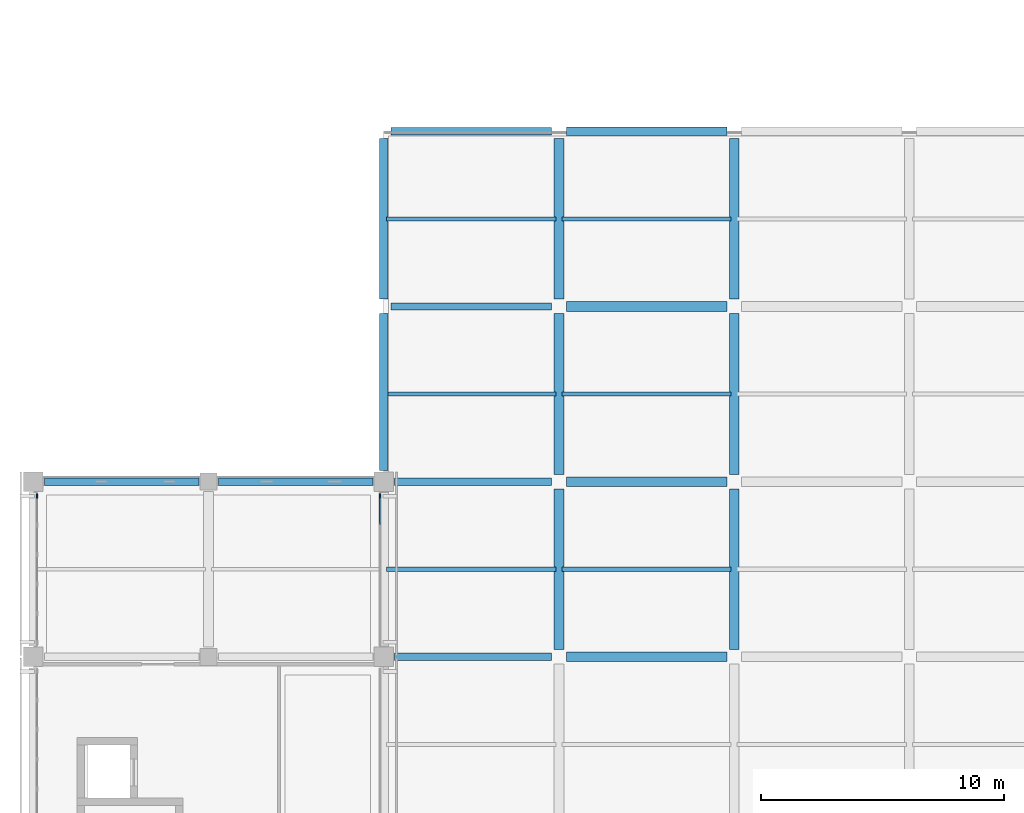
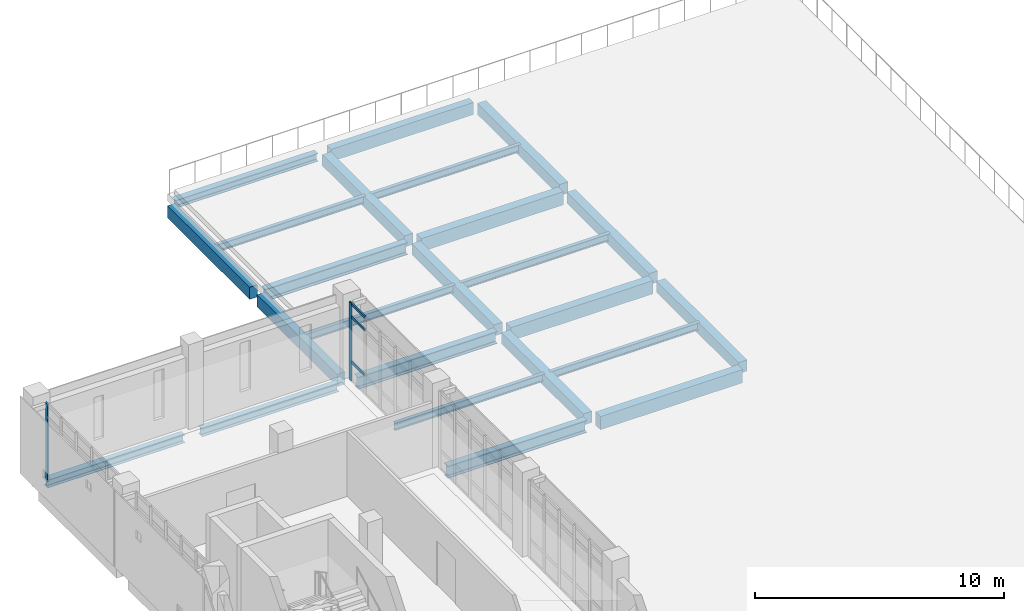
# One storey, part 22 of 51: 24 beams, 5 members, 2 elements without a shape of their own.
"""IFC4 building model written with IfcOpenShell, lengths in metres."""

from ifc_helpers import new_model, si_unit, direction, frame, origin, origin_2d, place, context, subcontext, project, spatial, rectangle, i_section, extrude, material, layer, layer_set, material_profile, profile_set, type_object, element, aggregate, save


model = new_model("IFC4")

# Units and contexts
model_context = context("Model", 3, precision=1e-05, world=origin(), true_north=direction((0.0, 1.0)))
body_context = subcontext(model_context, "Body", "Model", "MODEL_VIEW")
ifc_project = project(units=[si_unit("LENGTHUNIT", "METRE"), si_unit("AREAUNIT", "SQUARE_METRE"), si_unit("VOLUMEUNIT", "CUBIC_METRE"), si_unit("PLANEANGLEUNIT", "RADIAN"), si_unit("MASSUNIT", "GRAM", prefix="KILO")], contexts=[model_context])

# Site, building, storey
site_placement = place(None, origin())
site = spatial("IfcSite", under=ifc_project, at=site_placement, CompositionType="ELEMENT")
building_placement = place(site_placement, origin())
building = spatial("IfcBuilding", under=site, at=building_placement, Name="Valkovuoma Quantum and Materials Research Institute", CompositionType="ELEMENT")
storey_placement = place(building_placement, frame((0.0, 0.0, 17.280029296875)))
storey = spatial("IfcBuildingStorey", under=building, at=storey_placement, Name="L04", CompositionType="ELEMENT", Elevation=17.280029296875)

# Beams
ifc_material_1 = material(Name="Steel S355J2", Category="steel")
ifc_material_profile_1 = material_profile(ifc_material_1, i_section(OverallWidth=0.300048828125, OverallDepth=0.389892578125, WebThickness=0.010986328125, FlangeThickness=0.01904296875, FilletRadius=0.027099609375, at=origin_2d()), Name="Steel S355J2")
ifc_profile_set_1 = profile_set([ifc_material_profile_1], Name="Steel S355J2")
beam_type_1 = type_object("IfcBeamType", Name="Beam-B-HEA400", PredefinedType="SPANDREL", material=ifc_profile_set_1)
beam_1_placement = place(storey_placement, frame((0.449951171875, 93.60009765625, -0.544921875), z_axis=(1.0, 0.0, 0.0), x_axis=(0.0, 1.0, 0.0)))
element("IfcBeam", 1, at=beam_1_placement, inside=storey, type_object=beam_type_1, Name="L04 beam X-1883", PredefinedType="SPANDREL", context=body_context, shape_type="SweptSolid", body=[
    extrude(i_section(OverallWidth=0.300048828125, OverallDepth=0.389892578125, WebThickness=0.010986328125, FlangeThickness=0.01904296875, FilletRadius=0.027099609375, at=origin_2d()), origin(), (0.0, 0.0, 1.0), 6.35009765625),
])
beam_2_placement = place(storey_placement, frame((7.60009765625, 93.60009765625, -0.544921875), z_axis=(1.0, 0.0, 0.0), x_axis=(0.0, 1.0, 0.0)))
element("IfcBeam", 2, at=beam_2_placement, inside=storey, type_object=beam_type_1, Name="L04 beam X-1884", PredefinedType="SPANDREL", context=body_context, shape_type="SweptSolid", body=[
    extrude(i_section(OverallWidth=0.300048828125, OverallDepth=0.389892578125, WebThickness=0.010986328125, FlangeThickness=0.01904296875, FilletRadius=0.027099609375, at=origin_2d()), origin(), (0.0, 0.0, 1.0), 6.349853515625),
])
beam_3_placement = place(storey_placement, frame((14.699951171875, 108.0, -0.544921875), z_axis=(1.0, 0.0, 0.0), x_axis=(0.0, 1.0, 0.0)))
element("IfcBeam", 3, at=beam_3_placement, inside=storey, type_object=beam_type_1, Name="L04 beam X-1903", PredefinedType="SPANDREL", context=body_context, shape_type="SweptSolid", body=[
    extrude(i_section(OverallWidth=0.300048828125, OverallDepth=0.389892578125, WebThickness=0.010986328125, FlangeThickness=0.01904296875, FilletRadius=0.027099609375, at=origin_2d()), origin(), (0.0, 0.0, 1.0), 6.60009765625),
])
ifc_material_2 = material(Name="Steel S355J2", Category="steel")
ifc_material_profile_2 = material_profile(ifc_material_2, i_section(OverallWidth=0.300048828125, OverallDepth=0.60009765625, WebThickness=0.015380859375, FlangeThickness=0.030029296875, FilletRadius=0.027099609375, at=origin_2d()), Name="Steel S355J2")
ifc_profile_set_2 = profile_set([ifc_material_profile_2], Name="Steel S355J2")
beam_type_2 = type_object("IfcBeamType", Name="Beam-B-HEB600", PredefinedType="BEAM", material=ifc_profile_set_2)
for number, where, z_axis, x_axis, name in (
    (4, (14.85009765625, 86.39990234375, -0.650146484375), (1.0, 0.0, 0.0), (0.0, 1.0, 0.0), "L04 beam X-1874"),
    (5, (14.85009765625, 93.60009765625, -0.650146484375), (1.0, 0.0, 0.0), (0.0, 1.0, 0.0), "L04 beam X-1885"),
):
    element("IfcBeam", number, at=place(storey_placement, frame(where, z_axis=z_axis, x_axis=x_axis)), inside=storey, type_object=beam_type_2, Name=name, PredefinedType="BEAM", context=body_context, shape_type="SweptSolid", body=[
        extrude(i_section(OverallWidth=0.300048828125, OverallDepth=0.60009765625, WebThickness=0.015380859375, FlangeThickness=0.030029296875, FilletRadius=0.027099609375, at=origin_2d()), origin(), (0.0, 0.0, 1.0), 6.449951171875),
    ])
beam_4_placement = place(storey_placement, frame((14.699951171875, 100.800048828125, -0.650146484375), z_axis=(1.0, 0.0, 0.0), x_axis=(0.0, 1.0, 0.0)))
element("IfcBeam", 6, at=beam_4_placement, inside=storey, type_object=beam_type_2, Name="L04 beam X-1894", PredefinedType="BEAM", context=body_context, shape_type="SweptSolid", body=[
    extrude(i_section(OverallWidth=0.300048828125, OverallDepth=0.60009765625, WebThickness=0.015380859375, FlangeThickness=0.030029296875, FilletRadius=0.027099609375, at=origin_2d()), origin(), (0.0, 0.0, 1.0), 6.60009765625),
])
ifc_material_3 = material(Name="Steel S355J2", Category="steel")
ifc_material_profile_3 = material_profile(ifc_material_3, i_section(OverallWidth=0.169921875, OverallDepth=0.360107421875, WebThickness=0.008056640625, FlangeThickness=0.0126953125, FilletRadius=0.01806640625, at=origin_2d()), Name="Steel S355J2")
ifc_profile_set_3 = profile_set([ifc_material_profile_3], Name="Steel S355J2")
beam_type_3 = type_object("IfcBeamType", Name="Beam-B-JST360", PredefinedType="JOIST", material=ifc_profile_set_3)
for number, where, z_axis, x_axis, name in (
    (7, (14.52001953125, 90.0, -0.530029296875), (1.0, 0.0, 0.0), (0.0, 1.0, 0.0), "L04 floor joist 2076"),
    (8, (21.719970703125, 90.0, -0.530029296875), (1.0, 0.0, 0.0), (0.0, 1.0, 0.0), "L04 floor joist 2077"),
    (9, (14.52001953125, 97.199951171875, -0.530029296875), (1.0, 0.0, 0.0), (0.0, 1.0, 0.0), "L04 floor joist 2085"),
    (10, (21.719970703125, 97.199951171875, -0.530029296875), (1.0, 0.0, 0.0), (0.0, 1.0, 0.0), "L04 floor joist 2086"),
    (11, (14.52001953125, 104.39990234375, -0.530029296875), (1.0, 0.0, 0.0), (0.0, 1.0, 0.0), "L04 floor joist 2094"),
    (12, (21.719970703125, 104.39990234375, -0.530029296875), (1.0, 0.0, 0.0), (0.0, 1.0, 0.0), "L04 floor joist 2095"),
):
    element("IfcBeam", number, at=place(storey_placement, frame(where, z_axis=z_axis, x_axis=x_axis)), inside=storey, type_object=beam_type_3, Name=name, PredefinedType="JOIST", context=body_context, shape_type="SweptSolid", body=[
        extrude(i_section(OverallWidth=0.169921875, OverallDepth=0.360107421875, WebThickness=0.008056640625, FlangeThickness=0.0126953125, FilletRadius=0.01806640625, at=origin_2d()), origin(), (0.0, 0.0, 1.0), 6.9599609375),
    ])
ifc_material_4 = material(Name="Concrete C40/50", Category="concrete")
ifc_material_profile_4 = material_profile(ifc_material_4, rectangle(XDim=0.39990234375, YDim=0.550048828125, at=origin_2d()), Name="Concrete C40/50")
ifc_profile_set_4 = profile_set([ifc_material_profile_4], Name="Concrete C40/50")
beam_type_4 = type_object("IfcBeamType", Name="Beam-B-RC550", PredefinedType="BEAM", material=ifc_profile_set_4)
for number, where, z_axis, x_axis, name in (
    (13, (21.60009765625, 86.699951171875, -0.625), (0.0, 1.0, 0.0), (-1.0, 0.0, 0.0), "L04 beam Y-1935"),
    (14, (21.60009765625, 93.89990234375, -0.625), (0.0, 1.0, 0.0), (-1.0, 0.0, 0.0), "L04 beam Y-1936"),
):
    element("IfcBeam", number, at=place(storey_placement, frame(where, z_axis=z_axis, x_axis=x_axis)), inside=storey, type_object=beam_type_4, Name=name, PredefinedType="BEAM", context=body_context, shape_type="SweptSolid", body=[
        extrude(rectangle(XDim=0.39990234375, YDim=0.550048828125, at=origin_2d()), origin(), (0.0, 0.0, 1.0), 6.60009765625),
    ])
beam_5_placement = place(storey_placement, frame((21.60009765625, 101.10009765625, -0.625), z_axis=(0.0, 1.0, 0.0), x_axis=(-1.0, 0.0, 0.0)))
element("IfcBeam", 15, at=beam_5_placement, inside=storey, type_object=beam_type_4, Name="L04 beam Y-1937", PredefinedType="BEAM", context=body_context, shape_type="SweptSolid", body=[
    extrude(rectangle(XDim=0.39990234375, YDim=0.550048828125, at=origin_2d()), origin(), (0.0, 0.0, 1.0), 6.599853515625),
])
for number, where, z_axis, x_axis, name in (
    (16, (28.800048828125, 86.699951171875, -0.625), (0.0, 1.0, 0.0), (-1.0, 0.0, 0.0), "L04 beam Y-1941"),
    (17, (28.800048828125, 93.89990234375, -0.625), (0.0, 1.0, 0.0), (-1.0, 0.0, 0.0), "L04 beam Y-1942"),
):
    element("IfcBeam", number, at=place(storey_placement, frame(where, z_axis=z_axis, x_axis=x_axis)), inside=storey, type_object=beam_type_4, Name=name, PredefinedType="BEAM", context=body_context, shape_type="SweptSolid", body=[
        extrude(rectangle(XDim=0.39990234375, YDim=0.550048828125, at=origin_2d()), origin(), (0.0, 0.0, 1.0), 6.60009765625),
    ])
beam_6_placement = place(storey_placement, frame((28.800048828125, 101.10009765625, -0.625), z_axis=(0.0, 1.0, 0.0), x_axis=(-1.0, 0.0, 0.0)))
element("IfcBeam", 18, at=beam_6_placement, inside=storey, type_object=beam_type_4, Name="L04 beam Y-1943", PredefinedType="BEAM", context=body_context, shape_type="SweptSolid", body=[
    extrude(rectangle(XDim=0.39990234375, YDim=0.550048828125, at=origin_2d()), origin(), (0.0, 0.0, 1.0), 6.599853515625),
])
ifc_material_5 = material(Name="Concrete C40/50", Category="concrete")
ifc_material_profile_5 = material_profile(ifc_material_5, rectangle(XDim=0.39990234375, YDim=0.64990234375, at=origin_2d()), Name="Concrete C40/50")
ifc_profile_set_5 = profile_set([ifc_material_profile_5], Name="Concrete C40/50")
beam_type_5 = type_object("IfcBeamType", Name="Beam-B-RC650", PredefinedType="BEAM", material=ifc_profile_set_5)
for number, where, z_axis, x_axis, name in (
    (19, (21.89990234375, 86.39990234375, -0.675048828125), (1.0, 0.0, 0.0), (0.0, 1.0, 0.0), "L04 beam X-1875"),
    (20, (21.89990234375, 93.60009765625, -0.675048828125), (1.0, 0.0, 0.0), (0.0, 1.0, 0.0), "L04 beam X-1886"),
    (21, (21.89990234375, 100.800048828125, -0.675048828125), (1.0, 0.0, 0.0), (0.0, 1.0, 0.0), "L04 beam X-1895"),
):
    element("IfcBeam", number, at=place(storey_placement, frame(where, z_axis=z_axis, x_axis=x_axis)), inside=storey, type_object=beam_type_5, Name=name, PredefinedType="BEAM", context=body_context, shape_type="SweptSolid", body=[
        extrude(rectangle(XDim=0.39990234375, YDim=0.64990234375, at=origin_2d()), origin(), (0.0, 0.0, 1.0), 6.60009765625),
    ])
ifc_material_6 = material(Name="Concrete C40/50", Category="concrete")
ifc_material_profile_6 = material_profile(ifc_material_6, rectangle(XDim=0.35009765625, YDim=0.60009765625, at=origin_2d()), Name="Concrete C40/50")
ifc_profile_set_6 = profile_set([ifc_material_profile_6], Name="Concrete C40/50")
beam_type_6 = type_object("IfcBeamType", Name="Beam-B-SPN600", PredefinedType="SPANDREL", material=ifc_profile_set_6)
beam_7_placement = place(storey_placement, frame((21.89990234375, 108.0, -0.650146484375), z_axis=(1.0, 0.0, 0.0), x_axis=(0.0, 1.0, 0.0)))
element("IfcBeam", 22, at=beam_7_placement, inside=storey, type_object=beam_type_6, Name="L04 beam X-1904", PredefinedType="SPANDREL", context=body_context, shape_type="SweptSolid", body=[
    extrude(rectangle(XDim=0.35009765625, YDim=0.60009765625, at=origin_2d()), origin(), (0.0, 0.0, 1.0), 6.60009765625),
])
beam_8_placement = place(storey_placement, frame((14.39990234375, 94.050048828125, -0.650146484375), z_axis=(0.0, 1.0, 0.0), x_axis=(-1.0, 0.0, 0.0)))
element("IfcBeam", 23, at=beam_8_placement, inside=storey, type_object=beam_type_6, Name="L04 beam Y-1930", PredefinedType="SPANDREL", context=body_context, shape_type="SweptSolid", body=[
    extrude(rectangle(XDim=0.35009765625, YDim=0.60009765625, at=origin_2d()), origin(), (0.0, 0.0, 1.0), 6.449951171875),
])
beam_9_placement = place(storey_placement, frame((14.39990234375, 101.10009765625, -0.650146484375), z_axis=(0.0, 1.0, 0.0), x_axis=(-1.0, 0.0, 0.0)))
element("IfcBeam", 24, at=beam_9_placement, inside=storey, type_object=beam_type_6, Name="L04 beam Y-1931", PredefinedType="SPANDREL", context=body_context, shape_type="SweptSolid", body=[
    extrude(rectangle(XDim=0.35009765625, YDim=0.60009765625, at=origin_2d()), origin(), (0.0, 0.0, 1.0), 6.599853515625),
])

# Curtain wall, member
ifc_material_7 = material(Name="Thermally broken aluminium and triple low-E glazing", Category="aluminium")
ifc_layer = layer(ifc_material_7, 0.219970703125)
ifc_layer_set = layer_set([ifc_layer], Name="Thermally broken aluminium and triple low-E glazing")
curtain_wall_type = type_object("IfcCurtainWallType", Name="CW-CW-01", PredefinedType="NOTDEFINED", material=ifc_layer_set)
curtain_wall_1_placement = place(storey_placement, origin())
curtain_wall_1 = element("IfcCurtainWall", 25, at=curtain_wall_1_placement, inside=storey, type_object=curtain_wall_type, Name="L04 curtain wall 053", PredefinedType="NOTDEFINED")
ifc_material_8 = material(Name="Anodised aluminium 6060-T66", Category="aluminium")
ifc_material_profile_7 = material_profile(ifc_material_8, rectangle(XDim=0.06494140625, YDim=0.179931640625, at=origin_2d()), Name="Anodised aluminium 6060-T66")
ifc_profile_set_7 = profile_set([ifc_material_profile_7], Name="Anodised aluminium 6060-T66")
member_type_1 = type_object("IfcMemberType", Name="CWMull-CWM-01", PredefinedType="MULLION", material=ifc_profile_set_7)
member_1_placement = place(storey_placement, frame((0.14990234375, 93.010498046875, 0.0), z_axis=(0.0, 0.0, 1.0), x_axis=(-1.0, 0.0, 0.0)))
member_1 = element("IfcMember", 26, at=member_1_placement, type_object=member_type_1, Name="CW-01 mullion 6", PredefinedType="MULLION", context=body_context, shape_type="SweptSolid", body=[
    extrude(rectangle(XDim=0.06494140625, YDim=0.179931640625, at=origin_2d()), origin(), (0.0, 0.0, 1.0), 3.81005859375),
])
aggregate(curtain_wall_1, [member_1])

# Curtain wall, members
curtain_wall_2_placement = place(storey_placement, origin())
curtain_wall_2 = element("IfcCurtainWall", 27, at=curtain_wall_2_placement, inside=storey, type_object=curtain_wall_type, Name="L04 curtain wall 054", PredefinedType="NOTDEFINED")
member_2_placement = place(storey_placement, frame((14.25, 93.010498046875, 0.0), z_axis=(0.0, 0.0, 1.0), x_axis=(-1.0, 0.0, 0.0)))
member_2 = element("IfcMember", 28, at=member_2_placement, type_object=member_type_1, Name="CW-01 mullion 6", PredefinedType="MULLION", context=body_context, shape_type="SweptSolid", body=[
    extrude(rectangle(XDim=0.06494140625, YDim=0.179931640625, at=origin_2d()), origin(), (0.0, 0.0, 1.0), 3.81005859375),
])
ifc_material_9 = material(Name="Anodised aluminium 6060-T66", Category="aluminium")
ifc_material_profile_8 = material_profile(ifc_material_9, rectangle(XDim=0.06494140625, YDim=0.139892578125, at=origin_2d()), Name="Anodised aluminium 6060-T66")
ifc_profile_set_8 = profile_set([ifc_material_profile_8], Name="Anodised aluminium 6060-T66")
member_type_2 = type_object("IfcMemberType", Name="CWTran-CWT-01", PredefinedType="USERDEFINED", material=ifc_profile_set_8)
member_3_placement = place(storey_placement, frame((14.25, 91.858154296875, 0.949951171875), z_axis=(0.0, 1.0, 0.0), x_axis=(-1.0, 0.0, 0.0)))
member_3 = element("IfcMember", 29, at=member_3_placement, type_object=member_type_2, Name="CW-01 transom 5.2", ObjectType="TRANSOM", PredefinedType="USERDEFINED", context=body_context, shape_type="SweptSolid", body=[
    extrude(rectangle(XDim=0.06494140625, YDim=0.139892578125, at=origin_2d()), origin(), (0.0, 0.0, 1.0), 1.11962890625),
])
member_4_placement = place(storey_placement, frame((14.25, 91.858154296875, 3.159912109375), z_axis=(0.0, 1.0, 0.0), x_axis=(-1.0, 0.0, 0.0)))
member_4 = element("IfcMember", 30, at=member_4_placement, type_object=member_type_2, Name="CW-01 transom 5.3", ObjectType="TRANSOM", PredefinedType="USERDEFINED", context=body_context, shape_type="SweptSolid", body=[
    extrude(rectangle(XDim=0.06494140625, YDim=0.139892578125, at=origin_2d()), origin(), (0.0, 0.0, 1.0), 1.11962890625),
])
member_5_placement = place(storey_placement, frame((14.25, 91.858154296875, 3.777587890625), z_axis=(0.0, 1.0, 0.0), x_axis=(-1.0, 0.0, 0.0)))
member_5 = element("IfcMember", 31, at=member_5_placement, type_object=member_type_2, Name="CW-01 transom 5.4", ObjectType="TRANSOM", PredefinedType="USERDEFINED", context=body_context, shape_type="SweptSolid", body=[
    extrude(rectangle(XDim=0.06494140625, YDim=0.139892578125, at=origin_2d()), origin(), (0.0, 0.0, 1.0), 1.11962890625),
])
aggregate(curtain_wall_2, [member_2, member_3, member_4, member_5])

save(model, "model.ifc")
